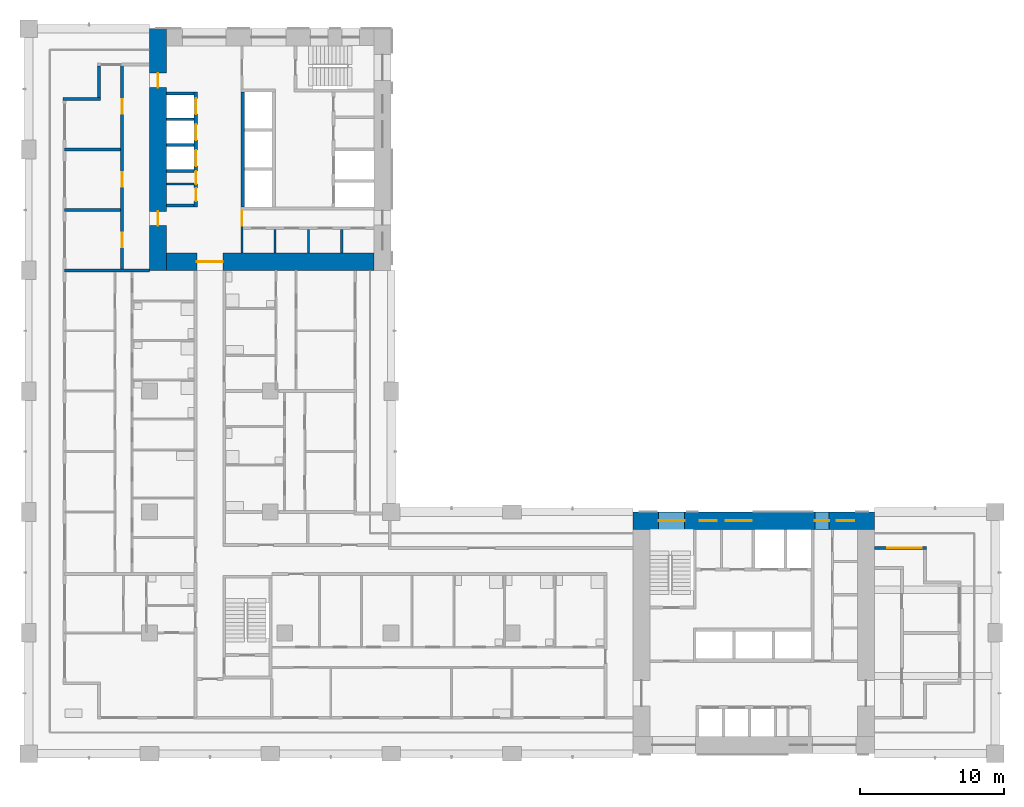
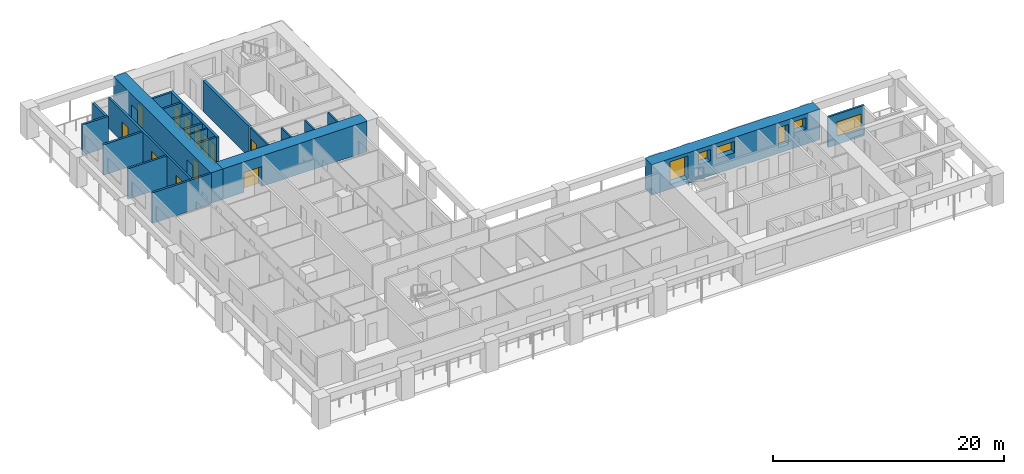
# One storey, part 7 of 17: 22 walls, 12 doors, 6 windows, 18 openings.
"""IFC4 building model written with IfcOpenShell, lengths in metres."""

from ifc_helpers import new_model, si_unit, direction, frame, frame_2d, origin, place, context, subcontext, project, spatial, rectangle, extrude, material, layer, layer_set, type_object, element, fill, save


model = new_model("IFC4")

# Units and contexts
model_context = context("Model", 3, precision=1e-05, world=origin(), true_north=direction((0.0, 1.0)))
body_context = subcontext(model_context, "Body", "Model", "MODEL_VIEW")
ifc_project = project(units=[si_unit("LENGTHUNIT", "METRE"), si_unit("AREAUNIT", "SQUARE_METRE"), si_unit("VOLUMEUNIT", "CUBIC_METRE"), si_unit("PLANEANGLEUNIT", "RADIAN"), si_unit("MASSUNIT", "GRAM", prefix="KILO")], contexts=[model_context])

# Site, building, storey
site_placement = place(None, origin())
site = spatial("IfcSite", under=ifc_project, at=site_placement, CompositionType="ELEMENT")
building_placement = place(site_placement, origin())
building = spatial("IfcBuilding", under=site, at=building_placement, Name="Vermilion Gate Residences", CompositionType="ELEMENT")
storey_placement = place(building_placement, frame((0.0, 0.0, 95.199951171875)))
storey = spatial("IfcBuildingStorey", under=building, at=storey_placement, Name="L23", CompositionType="ELEMENT", Elevation=95.199951171875)

# Wall
ifc_material_1 = material(Name="Masonry blockwork", Category="masonry")
ifc_layer_1 = layer(ifc_material_1, 0.14990234375)
ifc_layer_set_1 = layer_set([ifc_layer_1], Name="BLOCKWORK PARTITION 150 EI 120")
wall_type_1 = type_object("IfcWallType", Name="BLOCKWORK PARTITION 150 EI 120", PredefinedType="PARTITIONING", material=ifc_layer_set_1)
wall_1_placement = place(storey_placement, frame((9.60009765625, 48.007568359375, 0.0), z_axis=(0.0, 0.0, 1.0), x_axis=(1.0, 0.0, 0.0)))
element("IfcWall", 1, at=wall_1_placement, inside=storey, type_object=wall_type_1, Name="Core room partition B23-SR-P0", PredefinedType="PARTITIONING", context=body_context, shape_type="SweptSolid", body=[
    extrude(rectangle(XDim=1.89990234375, YDim=0.14990234375, at=frame_2d((0.949951171875, 0.0))), origin(), (0.0, 0.0, 1.0), 3.219970703125),
])

# Wall, opening, door
wall_2_placement = place(storey_placement, frame((14.824951171875, 46.199951171875, 0.0), z_axis=(0.0, 0.0, 1.0), x_axis=(0.0, -1.0, 0.0)))
wall_2 = element("IfcWall", 2, at=wall_2_placement, inside=storey, type_object=wall_type_1, Name="Core room partition B23-ES-S", PredefinedType="PARTITIONING", context=body_context, shape_type="SweptSolid", body=[
    extrude(rectangle(XDim=3.0, YDim=0.14990234375, at=frame_2d((1.5, 0.0))), origin(), (0.0, 0.0, 1.0), 3.219970703125),
])
opening_1_placement = place(wall_2_placement, frame((0.10009765625, 0.0, 0.0)))
opening_1 = element("IfcOpeningElement", 3, at=opening_1_placement, cuts=wall_2, Name="Opening DK23115", PredefinedType="OPENING", context=body_context, shape_type="SweptSolid", body=[
    extrude(rectangle(XDim=1.0, YDim=2.10009765625, at=frame_2d((0.5, 1.050048828125))), frame((0.0, 0.0849609375, 0.0), z_axis=(0.0, -1.0, 0.0), x_axis=(1.0, 0.0, 0.0)), (0.0, 0.0, 1.0), 0.169921875),
])
ifc_material_2 = material(Name="Steel", Category="steel")
door_type_1 = type_object("IfcDoorType", Name="FIRE DOOR FD60 1000 X 2100", OperationType="SINGLE_SWING_LEFT", PredefinedType="DOOR", material=ifc_material_2)
door_1_placement = place(opening_1_placement, frame((1.0, 0.0, 0.0), z_axis=(0.0, 0.0, 1.0), x_axis=(-1.0, 0.0, 0.0)))
door_1 = element("IfcDoor", 4, at=door_1_placement, inside=storey, type_object=door_type_1, Name="Service corridor door B23", OperationType="SINGLE_SWING_LEFT", OverallHeight=2.10009765625, OverallWidth=1.0, PredefinedType="DOOR", context=body_context, shape_type="SweptSolid", body=[
    extrude(rectangle(XDim=1.0, YDim=2.10009765625, at=frame_2d((0.5, 1.050048828125))), frame((0.0, 0.02490234375, 0.0), z_axis=(0.0, -1.0, 0.0), x_axis=(1.0, 0.0, 0.0)), (0.0, 0.0, 1.0), 0.050048828125),
])
fill(opening_1, door_1)

# Walls
for number, where, z_axis, x_axis, name in (
    (5, (17.137451171875, 44.85009765625, 0.0), (0.0, 0.0, 1.0), (0.0, -1.0, 0.0), "Core room partition B23-ES-P0"),
    (6, (19.449951171875, 44.85009765625, 0.0), (0.0, 0.0, 1.0), (0.0, -1.0, 0.0), "Core room partition B23-ES-P1"),
    (7, (21.762451171875, 44.85009765625, 0.0), (0.0, 0.0, 1.0), (0.0, -1.0, 0.0), "Core room partition B23-ES-P2"),
):
    element("IfcWall", number, at=place(storey_placement, frame(where, z_axis=z_axis, x_axis=x_axis)), inside=storey, type_object=wall_type_1, Name=name, PredefinedType="PARTITIONING", context=body_context, shape_type="SweptSolid", body=[
        extrude(rectangle(XDim=1.650146484375, YDim=0.14990234375, at=frame_2d((0.8251953125, 0.0))), origin(), (0.0, 0.0, 1.0), 3.219970703125),
    ])
ifc_material_3 = material(Name="Insulated steel stud wall with terracotta rainscreen", Category="masonry")
ifc_layer_2 = layer(ifc_material_3, 0.199951171875)
ifc_layer_set_2 = layer_set([ifc_layer_2], Name="EXTERNAL WALL 200 TERRACOTTA RAINSCREEN")
wall_type_2 = type_object("IfcWallType", Name="EXTERNAL WALL 200 TERRACOTTA RAINSCREEN", PredefinedType="SOLIDWALL", material=ifc_layer_set_2)
wall_3_placement = place(storey_placement, frame((4.89990234375, 56.199951171875, 0.0), z_axis=(0.0, 0.0, 1.0), x_axis=(0.0, -1.0, 0.0)))
element("IfcWall", 8, at=wall_3_placement, inside=storey, type_object=wall_type_2, Name="External wall", PredefinedType="SOLIDWALL", context=body_context, shape_type="SweptSolid", body=[
    extrude(rectangle(XDim=2.199951171875, YDim=0.199951171875, at=frame_2d((1.10009765625, 0.0))), origin(), (0.0, 0.0, 1.0), 3.219970703125),
])
wall_4_placement = place(storey_placement, frame((5.0, 53.89990234375, 0.0), z_axis=(0.0, 0.0, 1.0), x_axis=(-1.0, 0.0, 0.0)))
element("IfcWall", 9, at=wall_4_placement, inside=storey, type_object=wall_type_2, Name="External wall", PredefinedType="SOLIDWALL", context=body_context, shape_type="SweptSolid", body=[
    extrude(rectangle(XDim=2.60009765625, YDim=0.199951171875, at=frame_2d((1.300048828125, 0.0))), origin(), (0.0, 0.0, 1.0), 3.219970703125),
])

# Wall, opening, window
wall_5_placement = place(storey_placement, frame((62.39990234375, 22.699951171875, 0.0), z_axis=(0.0, 0.0, 1.0), x_axis=(-1.0, 0.0, 0.0)))
wall_5 = element("IfcWall", 10, at=wall_5_placement, inside=storey, type_object=wall_type_2, Name="External wall", PredefinedType="SOLIDWALL", context=body_context, shape_type="SweptSolid", body=[
    extrude(rectangle(XDim=3.599853515625, YDim=0.199951171875, at=frame_2d((1.7998046875, 0.0))), origin(), (0.0, 0.0, 1.0), 3.219970703125),
])
opening_2_placement = place(wall_5_placement, frame((0.300048828125, 0.0, 0.89990234375)))
opening_2 = element("IfcOpeningElement", 11, at=opening_2_placement, cuts=wall_5, Name="Opening WE23023", PredefinedType="OPENING", context=body_context, shape_type="SweptSolid", body=[
    extrude(rectangle(XDim=2.39990234375, YDim=1.5, at=frame_2d((1.199951171875, 0.75))), frame((0.0, 0.10986328125, 0.0), z_axis=(0.0, -1.0, 0.0), x_axis=(1.0, 0.0, 0.0)), (0.0, 0.0, 1.0), 0.219970703125),
])
ifc_material_4 = material(Name="Aluminium and clear glass", Category="aluminium")
window_type_1 = type_object("IfcWindowType", Name="WINDOW 2400 X 1500", PartitioningType="SINGLE_PANEL", PredefinedType="WINDOW", material=ifc_material_4)
window_1_placement = place(opening_2_placement, origin())
window_1 = element("IfcWindow", 12, at=window_1_placement, inside=storey, type_object=window_type_1, Name="Window", OverallHeight=1.5, OverallWidth=2.39990234375, PartitioningType="SINGLE_PANEL", PredefinedType="WINDOW", context=body_context, shape_type="SweptSolid", body=[
    extrude(rectangle(XDim=2.39990234375, YDim=1.5, at=frame_2d((1.199951171875, 0.75))), frame((0.0, 0.030029296875, 0.0), z_axis=(0.0, -1.0, 0.0), x_axis=(1.0, 0.0, 0.0)), (0.0, 0.0, 1.0), 0.06005859375),
])
fill(opening_2, window_1)

# Walls
ifc_material_5 = material(Name="Fire-rated plasterboard on steel studs", Category="steel")
ifc_layer_3 = layer(ifc_material_5, 0.199951171875)
ifc_layer_set_3 = layer_set([ifc_layer_3], Name="PARTY WALL 200 EI 120")
wall_type_3 = type_object("IfcWallType", Name="PARTY WALL 200 EI 120", PredefinedType="PARTITIONING", material=ifc_layer_set_3)
wall_6_placement = place(storey_placement, frame((2.5, 42.0, 0.0), z_axis=(0.0, 0.0, 1.0), x_axis=(1.0, 0.0, 0.0)))
element("IfcWall", 13, at=wall_6_placement, inside=storey, type_object=wall_type_3, Name="Party and corridor wall", PredefinedType="PARTITIONING", context=body_context, shape_type="SweptSolid", body=[
    extrude(rectangle(XDim=5.89990234375, YDim=0.199951171875, at=frame_2d((2.949951171875, 0.0))), origin(), (0.0, 0.0, 1.0), 3.219970703125),
])
for number, where, z_axis, x_axis, name in (
    (14, (2.5, 46.199951171875, 0.0), (0.0, 0.0, 1.0), (1.0, 0.0, 0.0), "Party and corridor wall"),
    (15, (2.5, 50.39990234375, 0.0), (0.0, 0.0, 1.0), (1.0, 0.0, 0.0), "Party and corridor wall"),
):
    element("IfcWall", number, at=place(storey_placement, frame(where, z_axis=z_axis, x_axis=x_axis)), inside=storey, type_object=wall_type_3, Name=name, PredefinedType="PARTITIONING", context=body_context, shape_type="SweptSolid", body=[
        extrude(rectangle(XDim=3.89990234375, YDim=0.199951171875, at=frame_2d((1.949951171875, 0.0))), origin(), (0.0, 0.0, 1.0), 3.219970703125),
    ])

# Wall, openings, doors
wall_7_placement = place(storey_placement, frame((6.5, 42.10009765625, 0.0), z_axis=(0.0, 0.0, 1.0), x_axis=(0.0, 1.0, 0.0)))
wall_7 = element("IfcWall", 16, at=wall_7_placement, inside=storey, type_object=wall_type_3, Name="Party and corridor wall", PredefinedType="PARTITIONING", context=body_context, shape_type="SweptSolid", body=[
    extrude(rectangle(XDim=14.199951171875, YDim=0.199951171875, at=frame_2d((7.10009765625, 0.0))), origin(), (0.0, 0.0, 1.0), 3.219970703125),
])
opening_3_placement = place(wall_7_placement, frame((1.5, 0.0, 0.0)))
opening_3 = element("IfcOpeningElement", 17, at=opening_3_placement, cuts=wall_7, Name="Opening DA22022", PredefinedType="OPENING", context=body_context, shape_type="SweptSolid", body=[
    extrude(rectangle(XDim=1.0, YDim=2.10009765625, at=frame_2d((0.5, 1.050048828125))), frame((0.0, 0.10986328125, 0.0), z_axis=(0.0, -1.0, 0.0), x_axis=(1.0, 0.0, 0.0)), (0.0, 0.0, 1.0), 0.219970703125),
])
opening_4_placement = place(wall_7_placement, frame((5.699951171875, 0.0, 0.0)))
opening_4 = element("IfcOpeningElement", 18, at=opening_4_placement, cuts=wall_7, Name="Opening DA22023", PredefinedType="OPENING", context=body_context, shape_type="SweptSolid", body=[
    extrude(rectangle(XDim=1.0, YDim=2.10009765625, at=frame_2d((0.5, 1.050048828125))), frame((0.0, 0.10986328125, 0.0), z_axis=(0.0, -1.0, 0.0), x_axis=(1.0, 0.0, 0.0)), (0.0, 0.0, 1.0), 0.219970703125),
])
opening_5_placement = place(wall_7_placement, frame((10.800048828125, 0.0, 0.0)))
opening_5 = element("IfcOpeningElement", 19, at=opening_5_placement, cuts=wall_7, Name="Opening DA22024", PredefinedType="OPENING", context=body_context, shape_type="SweptSolid", body=[
    extrude(rectangle(XDim=1.0, YDim=2.10009765625, at=frame_2d((0.5, 1.050048828125))), frame((0.0, 0.10986328125, 0.0), z_axis=(0.0, -1.0, 0.0), x_axis=(1.0, 0.0, 0.0)), (0.0, 0.0, 1.0), 0.219970703125),
])
ifc_material_6 = material(Name="Steel", Category="steel")
door_type_2 = type_object("IfcDoorType", Name="ENTRANCE DOOR 1000 X 2100 FD30", OperationType="SINGLE_SWING_LEFT", PredefinedType="DOOR", material=ifc_material_6)
door_2_placement = place(opening_3_placement, origin())
door_2 = element("IfcDoor", 20, at=door_2_placement, inside=storey, type_object=door_type_2, Name="Entrance door", OperationType="SINGLE_SWING_LEFT", OverallHeight=2.10009765625, OverallWidth=1.0, PredefinedType="DOOR", context=body_context, shape_type="SweptSolid", body=[
    extrude(rectangle(XDim=1.0, YDim=2.10009765625, at=frame_2d((0.5, 1.050048828125))), frame((0.0, 0.02490234375, 0.0), z_axis=(0.0, -1.0, 0.0), x_axis=(1.0, 0.0, 0.0)), (0.0, 0.0, 1.0), 0.050048828125),
])
fill(opening_3, door_2)
door_3_placement = place(opening_4_placement, origin())
door_3 = element("IfcDoor", 21, at=door_3_placement, inside=storey, type_object=door_type_2, Name="Entrance door", OperationType="SINGLE_SWING_RIGHT", OverallHeight=2.10009765625, OverallWidth=1.0, PredefinedType="DOOR", context=body_context, shape_type="SweptSolid", body=[
    extrude(rectangle(XDim=1.0, YDim=2.10009765625, at=frame_2d((0.5, 1.050048828125))), frame((0.0, 0.02490234375, 0.0), z_axis=(0.0, -1.0, 0.0), x_axis=(1.0, 0.0, 0.0)), (0.0, 0.0, 1.0), 0.050048828125),
])
fill(opening_4, door_3)
door_4_placement = place(opening_5_placement, origin())
door_4 = element("IfcDoor", 22, at=door_4_placement, inside=storey, type_object=door_type_2, Name="Entrance door", OperationType="SINGLE_SWING_RIGHT", OverallHeight=2.10009765625, OverallWidth=1.0, PredefinedType="DOOR", context=body_context, shape_type="SweptSolid", body=[
    extrude(rectangle(XDim=1.0, YDim=2.10009765625, at=frame_2d((0.5, 1.050048828125))), frame((0.0, 0.02490234375, 0.0), z_axis=(0.0, -1.0, 0.0), x_axis=(1.0, 0.0, 0.0)), (0.0, 0.0, 1.0), 0.050048828125),
])
fill(opening_5, door_4)

# Walls
ifc_material_7 = material(Name="Concrete C60", Category="concrete")
ifc_layer_4 = layer(ifc_material_7, 0.199951171875)
ifc_layer_set_4 = layer_set([ifc_layer_4], Name="RC CORE INTERNAL WALL 200 C60")
wall_type_4 = type_object("IfcWallType", Name="RC CORE INTERNAL WALL 200 C60", PredefinedType="SHEAR", material=ifc_layer_set_4)
for number, where, z_axis, x_axis, name in (
    (23, (9.60009765625, 54.300048828125, 0.0), (0.0, 0.0, 1.0), (1.0, 0.0, 0.0), "Core internal wall B23-LR-D0"),
    (24, (9.60009765625, 52.5, 0.0), (0.0, 0.0, 1.0), (1.0, 0.0, 0.0), "Core internal wall B23-LR-D1"),
    (25, (9.60009765625, 50.699951171875, 0.0), (0.0, 0.0, 1.0), (1.0, 0.0, 0.0), "Core internal wall B23-LR-D2"),
    (26, (9.60009765625, 48.89990234375, 0.0), (0.0, 0.0, 1.0), (1.0, 0.0, 0.0), "Core internal wall B23-LR-D3"),
    (27, (9.60009765625, 46.5, 0.0), (0.0, 0.0, 1.0), (1.0, 0.0, 0.0), "Core internal wall B23-LR-DE"),
):
    element("IfcWall", number, at=place(storey_placement, frame(where, z_axis=z_axis, x_axis=x_axis)), inside=storey, type_object=wall_type_4, Name=name, PredefinedType="SHEAR", context=body_context, shape_type="SweptSolid", body=[
        extrude(rectangle(XDim=1.89990234375, YDim=0.199951171875, at=frame_2d((0.949951171875, 0.0))), origin(), (0.0, 0.0, 1.0), 3.219970703125),
    ])

# Wall, openings, doors
ifc_material_8 = material(Name="Concrete C70", Category="concrete")
ifc_layer_5 = layer(ifc_material_8, 1.199951171875)
ifc_layer_set_5 = layer_set([ifc_layer_5], Name="RC CORE WALL 1200 C70")
wall_type_5 = type_object("IfcWallType", Name="RC CORE WALL 1200 C70", PredefinedType="SHEAR", material=ifc_layer_set_5)
wall_8_placement = place(storey_placement, frame((9.0, 58.800048828125, 0.0), z_axis=(0.0, 0.0, 1.0), x_axis=(0.0, -1.0, 0.0)))
wall_8 = element("IfcWall", 28, at=wall_8_placement, inside=storey, type_object=wall_type_5, Name="Core wall B23-OUT-B0", PredefinedType="SHEAR", context=body_context, shape_type="SweptSolid", body=[
    extrude(rectangle(XDim=16.800048828125, YDim=1.199951171875, at=frame_2d((8.39990234375, 0.0))), origin(), (0.0, 0.0, 1.0), 3.219970703125),
])
opening_6_placement = place(wall_8_placement, frame((3.10009765625, 0.0, 0.0)))
opening_6 = element("IfcOpeningElement", 29, at=opening_6_placement, cuts=wall_8, Name="Opening DK23101", PredefinedType="OPENING", context=body_context, shape_type="SweptSolid", body=[
    extrude(rectangle(XDim=1.0, YDim=2.10009765625, at=frame_2d((0.5, 1.050048828125))), frame((0.0, 0.60986328125, 0.0), z_axis=(0.0, -1.0, 0.0), x_axis=(1.0, 0.0, 0.0)), (0.0, 0.0, 1.0), 1.219970703125),
])
opening_7_placement = place(wall_8_placement, frame((12.699951171875, 0.0, 0.0)))
opening_7 = element("IfcOpeningElement", 30, at=opening_7_placement, cuts=wall_8, Name="Opening DK23102", PredefinedType="OPENING", context=body_context, shape_type="SweptSolid", body=[
    extrude(rectangle(XDim=1.0, YDim=2.10009765625, at=frame_2d((0.5, 1.050048828125))), frame((0.0, 0.60986328125, 0.0), z_axis=(0.0, -1.0, 0.0), x_axis=(1.0, 0.0, 0.0)), (0.0, 0.0, 1.0), 1.219970703125),
])
door_5_placement = place(opening_6_placement, origin())
door_5 = element("IfcDoor", 31, at=door_5_placement, inside=storey, type_object=door_type_1, Name="Core lobby side door B23", OperationType="SINGLE_SWING_RIGHT", OverallHeight=2.10009765625, OverallWidth=1.0, PredefinedType="DOOR", context=body_context, shape_type="SweptSolid", body=[
    extrude(rectangle(XDim=1.0, YDim=2.10009765625, at=frame_2d((0.5, 1.050048828125))), frame((0.0, 0.02490234375, 0.0), z_axis=(0.0, -1.0, 0.0), x_axis=(1.0, 0.0, 0.0)), (0.0, 0.0, 1.0), 0.050048828125),
])
fill(opening_6, door_5)
door_6_placement = place(opening_7_placement, origin())
door_6 = element("IfcDoor", 32, at=door_6_placement, inside=storey, type_object=door_type_1, Name="Core lobby side door B23", OperationType="SINGLE_SWING_LEFT", OverallHeight=2.10009765625, OverallWidth=1.0, PredefinedType="DOOR", context=body_context, shape_type="SweptSolid", body=[
    extrude(rectangle(XDim=1.0, YDim=2.10009765625, at=frame_2d((0.5, 1.050048828125))), frame((0.0, 0.02490234375, 0.0), z_axis=(0.0, -1.0, 0.0), x_axis=(1.0, 0.0, 0.0)), (0.0, 0.0, 1.0), 0.050048828125),
])
fill(opening_7, door_6)

# Wall, opening, door
wall_9_placement = place(storey_placement, frame((9.60009765625, 42.60009765625, 0.0), z_axis=(0.0, 0.0, 1.0), x_axis=(1.0, 0.0, 0.0)))
wall_9 = element("IfcWall", 33, at=wall_9_placement, inside=storey, type_object=wall_type_5, Name="Core wall B23-OUT-BK", PredefinedType="SHEAR", context=body_context, shape_type="SweptSolid", body=[
    extrude(rectangle(XDim=14.39990234375, YDim=1.199951171875, at=frame_2d((7.199951171875, 0.0))), origin(), (0.0, 0.0, 1.0), 3.219970703125),
])
opening_8_placement = place(wall_9_placement, frame((2.10009765625, 0.0, 0.0)))
opening_8 = element("IfcOpeningElement", 34, at=opening_8_placement, cuts=wall_9, Name="Opening DK23103", PredefinedType="OPENING", context=body_context, shape_type="SweptSolid", body=[
    extrude(rectangle(XDim=1.800048828125, YDim=2.10009765625, at=frame_2d((0.89990234375, 1.050048828125))), frame((0.0, 0.60986328125, 0.0), z_axis=(0.0, -1.0, 0.0), x_axis=(1.0, 0.0, 0.0)), (0.0, 0.0, 1.0), 1.219970703125),
])
ifc_material_9 = material(Name="Steel", Category="steel")
door_type_3 = type_object("IfcDoorType", Name="CORE LOBBY DOOR FD60 1800 X 2100", OperationType="DOUBLE_DOOR_SINGLE_SWING", PredefinedType="DOOR", material=ifc_material_9)
door_7_placement = place(opening_8_placement, origin())
door_7 = element("IfcDoor", 35, at=door_7_placement, inside=storey, type_object=door_type_3, Name="Core lobby door B23", OperationType="DOUBLE_DOOR_SINGLE_SWING", OverallHeight=2.10009765625, OverallWidth=1.800048828125, PredefinedType="DOOR", context=body_context, shape_type="SweptSolid", body=[
    extrude(rectangle(XDim=1.800048828125, YDim=2.10009765625, at=frame_2d((0.89990234375, 1.050048828125))), frame((0.0, 0.02490234375, 0.0), z_axis=(0.0, -1.0, 0.0), x_axis=(1.0, 0.0, 0.0)), (0.0, 0.0, 1.0), 0.050048828125),
])
fill(opening_8, door_7)

# Wall, openings, windows
ifc_material_10 = material(Name="Concrete C70 red-oxide pigmented", Category="concrete")
ifc_layer_6 = layer(ifc_material_10, 1.199951171875)
ifc_layer_set_6 = layer_set([ifc_layer_6], Name="RC CORE WALL 1200 C70 RED OXIDE")
wall_type_6 = type_object("IfcWallType", Name="RC CORE WALL 1200 C70 RED OXIDE", PredefinedType="SHEAR", material=ifc_layer_set_6)
wall_10_placement = place(storey_placement, frame((42.0, 24.60009765625, 0.0), z_axis=(0.0, 0.0, 1.0), x_axis=(1.0, 0.0, 0.0)))
wall_10 = element("IfcWall", 36, at=wall_10_placement, inside=storey, type_object=wall_type_6, Name="Core wall A23-OUT-B1", PredefinedType="SHEAR", context=body_context, shape_type="SweptSolid", body=[
    extrude(rectangle(XDim=16.800048828125, YDim=1.199951171875, at=frame_2d((8.39990234375, 0.0))), origin(), (0.0, 0.0, 1.0), 3.219970703125),
])
opening_9_placement = place(wall_10_placement, frame((1.800048828125, 0.0, 0.5)))
opening_9 = element("IfcOpeningElement", 37, at=opening_9_placement, cuts=wall_10, Name="Opening WKA2304", PredefinedType="OPENING", context=body_context, shape_type="SweptSolid", body=[
    extrude(rectangle(XDim=1.800048828125, YDim=2.39990234375, at=frame_2d((0.89990234375, 1.199951171875))), frame((0.0, 0.60986328125, 0.0), z_axis=(0.0, -1.0, 0.0), x_axis=(1.0, 0.0, 0.0)), (0.0, 0.0, 1.0), 1.219970703125),
])
opening_10_placement = place(wall_10_placement, frame((4.643798828125, 0.0, 1.60009765625)))
opening_10 = element("IfcOpeningElement", 38, at=opening_10_placement, cuts=wall_10, Name="Opening WKA2305", PredefinedType="OPENING", context=body_context, shape_type="SweptSolid", body=[
    extrude(rectangle(XDim=1.199951171875, YDim=1.199951171875, at=frame_2d((0.60009765625, 0.60009765625))), frame((0.0, 0.60986328125, 0.0), z_axis=(0.0, -1.0, 0.0), x_axis=(1.0, 0.0, 0.0)), (0.0, 0.0, 1.0), 1.219970703125),
])
opening_11_placement = place(wall_10_placement, frame((6.449951171875, 0.0, 1.60009765625)))
opening_11 = element("IfcOpeningElement", 39, at=opening_11_placement, cuts=wall_10, Name="Opening WKA2306", PredefinedType="OPENING", context=body_context, shape_type="SweptSolid", body=[
    extrude(rectangle(XDim=1.800048828125, YDim=1.199951171875, at=frame_2d((0.89990234375, 0.60009765625))), frame((0.0, 0.60986328125, 0.0), z_axis=(0.0, -1.0, 0.0), x_axis=(1.0, 0.0, 0.0)), (0.0, 0.0, 1.0), 1.219970703125),
])
opening_12_placement = place(wall_10_placement, frame((12.64990234375, 0.0, 0.60009765625)))
opening_12 = element("IfcOpeningElement", 40, at=opening_12_placement, cuts=wall_10, Name="Opening WKA2307", PredefinedType="OPENING", context=body_context, shape_type="SweptSolid", body=[
    extrude(rectangle(XDim=1.0, YDim=2.10009765625, at=frame_2d((0.5, 1.050048828125))), frame((0.0, 0.60986328125, 0.0), z_axis=(0.0, -1.0, 0.0), x_axis=(1.0, 0.0, 0.0)), (0.0, 0.0, 1.0), 1.219970703125),
])
opening_13_placement = place(wall_10_placement, frame((14.175048828125, 0.0, 1.60009765625)))
opening_13 = element("IfcOpeningElement", 41, at=opening_13_placement, cuts=wall_10, Name="Opening WKA2308", PredefinedType="OPENING", context=body_context, shape_type="SweptSolid", body=[
    extrude(rectangle(XDim=1.199951171875, YDim=1.199951171875, at=frame_2d((0.60009765625, 0.60009765625))), frame((0.0, 0.60986328125, 0.0), z_axis=(0.0, -1.0, 0.0), x_axis=(1.0, 0.0, 0.0)), (0.0, 0.0, 1.0), 1.219970703125),
])
ifc_material_11 = material(Name="Aluminium and clear glass", Category="aluminium")
window_type_2 = type_object("IfcWindowType", Name="CORE CORRIDOR WINDOW 1000 X 2100", PartitioningType="SINGLE_PANEL", PredefinedType="WINDOW", material=ifc_material_11)
window_2_placement = place(opening_12_placement, origin())
window_2 = element("IfcWindow", 42, at=window_2_placement, inside=storey, type_object=window_type_2, Name="Core corridor window", OverallHeight=2.10009765625, OverallWidth=1.0, PartitioningType="SINGLE_PANEL", PredefinedType="WINDOW", context=body_context, shape_type="SweptSolid", body=[
    extrude(rectangle(XDim=1.0, YDim=2.10009765625, at=frame_2d((0.5, 1.050048828125))), frame((0.0, 0.030029296875, 0.0), z_axis=(0.0, -1.0, 0.0), x_axis=(1.0, 0.0, 0.0)), (0.0, 0.0, 1.0), 0.06005859375),
])
fill(opening_12, window_2)
ifc_material_12 = material(Name="Aluminium frame with louvre blades", Category="aluminium")
window_type_3 = type_object("IfcWindowType", Name="CORE LOUVRE 1200 X 1200", PartitioningType="SINGLE_PANEL", PredefinedType="WINDOW", material=ifc_material_12)
window_3_placement = place(opening_10_placement, origin())
window_3 = element("IfcWindow", 43, at=window_3_placement, inside=storey, type_object=window_type_3, Name="Core louvre", OverallHeight=1.199951171875, OverallWidth=1.199951171875, PartitioningType="SINGLE_PANEL", PredefinedType="WINDOW", context=body_context, shape_type="SweptSolid", body=[
    extrude(rectangle(XDim=1.199951171875, YDim=1.199951171875, at=frame_2d((0.60009765625, 0.60009765625))), frame((0.0, 0.030029296875, 0.0), z_axis=(0.0, -1.0, 0.0), x_axis=(1.0, 0.0, 0.0)), (0.0, 0.0, 1.0), 0.06005859375),
])
fill(opening_10, window_3)
window_4_placement = place(opening_13_placement, origin())
window_4 = element("IfcWindow", 44, at=window_4_placement, inside=storey, type_object=window_type_3, Name="Core louvre", OverallHeight=1.199951171875, OverallWidth=1.199951171875, PartitioningType="SINGLE_PANEL", PredefinedType="WINDOW", context=body_context, shape_type="SweptSolid", body=[
    extrude(rectangle(XDim=1.199951171875, YDim=1.199951171875, at=frame_2d((0.60009765625, 0.60009765625))), frame((0.0, 0.030029296875, 0.0), z_axis=(0.0, -1.0, 0.0), x_axis=(1.0, 0.0, 0.0)), (0.0, 0.0, 1.0), 0.06005859375),
])
fill(opening_13, window_4)
ifc_material_13 = material(Name="Aluminium frame with louvre blades", Category="aluminium")
window_type_4 = type_object("IfcWindowType", Name="CORE LOUVRE 1800 X 1200", PartitioningType="SINGLE_PANEL", PredefinedType="WINDOW", material=ifc_material_13)
window_5_placement = place(opening_11_placement, origin())
window_5 = element("IfcWindow", 45, at=window_5_placement, inside=storey, type_object=window_type_4, Name="Core louvre", OverallHeight=1.199951171875, OverallWidth=1.800048828125, PartitioningType="SINGLE_PANEL", PredefinedType="WINDOW", context=body_context, shape_type="SweptSolid", body=[
    extrude(rectangle(XDim=1.800048828125, YDim=1.199951171875, at=frame_2d((0.89990234375, 0.60009765625))), frame((0.0, 0.030029296875, 0.0), z_axis=(0.0, -1.0, 0.0), x_axis=(1.0, 0.0, 0.0)), (0.0, 0.0, 1.0), 0.06005859375),
])
fill(opening_11, window_5)
ifc_material_14 = material(Name="Aluminium and clear glass", Category="aluminium")
window_type_5 = type_object("IfcWindowType", Name="CORE STAIR WINDOW 1800 X 2400", PartitioningType="SINGLE_PANEL", PredefinedType="WINDOW", material=ifc_material_14)
window_6_placement = place(opening_9_placement, origin())
window_6 = element("IfcWindow", 46, at=window_6_placement, inside=storey, type_object=window_type_5, Name="Core stair window", OverallHeight=2.39990234375, OverallWidth=1.800048828125, PartitioningType="SINGLE_PANEL", PredefinedType="WINDOW", context=body_context, shape_type="SweptSolid", body=[
    extrude(rectangle(XDim=1.800048828125, YDim=2.39990234375, at=frame_2d((0.89990234375, 1.199951171875))), frame((0.0, 0.030029296875, 0.0), z_axis=(0.0, -1.0, 0.0), x_axis=(1.0, 0.0, 0.0)), (0.0, 0.0, 1.0), 0.06005859375),
])
fill(opening_9, window_6)

# Wall, openings, doors
ifc_material_15 = material(Name="Concrete C60", Category="concrete")
ifc_layer_7 = layer(ifc_material_15, 0.25)
ifc_layer_set_7 = layer_set([ifc_layer_7], Name="RC LIFT SHAFT WALL 250 C60")
wall_type_7 = type_object("IfcWallType", Name="RC LIFT SHAFT WALL 250 C60", PredefinedType="SHEAR", material=ifc_layer_set_7)
wall_11_placement = place(storey_placement, frame((11.625, 54.39990234375, 0.0), z_axis=(0.0, 0.0, 1.0), x_axis=(0.0, -1.0, 0.0)))
wall_11 = element("IfcWall", 47, at=wall_11_placement, inside=storey, type_object=wall_type_7, Name="Lift shaft wall B23-LR-F", PredefinedType="SHEAR", context=body_context, shape_type="SweptSolid", body=[
    extrude(rectangle(XDim=8.0, YDim=0.25, at=frame_2d((4.0, 0.0))), origin(), (0.0, 0.0, 1.0), 3.219970703125),
])
opening_14_placement = place(wall_11_placement, frame((0.449951171875, 0.0, 0.0)))
opening_14 = element("IfcOpeningElement", 48, at=opening_14_placement, cuts=wall_11, Name="Opening LD", PredefinedType="OPENING", context=body_context, shape_type="SweptSolid", body=[
    extrude(rectangle(XDim=1.10009765625, YDim=2.10009765625, at=frame_2d((0.550048828125, 1.050048828125))), frame((0.0, 0.135009765625, 0.0), z_axis=(0.0, -1.0, 0.0), x_axis=(1.0, 0.0, 0.0)), (0.0, 0.0, 1.0), 0.27001953125),
])
opening_15_placement = place(wall_11_placement, frame((2.25, 0.0, 0.0)))
opening_15 = element("IfcOpeningElement", 49, at=opening_15_placement, cuts=wall_11, Name="Opening LD", PredefinedType="OPENING", context=body_context, shape_type="SweptSolid", body=[
    extrude(rectangle(XDim=1.10009765625, YDim=2.10009765625, at=frame_2d((0.550048828125, 1.050048828125))), frame((0.0, 0.135009765625, 0.0), z_axis=(0.0, -1.0, 0.0), x_axis=(1.0, 0.0, 0.0)), (0.0, 0.0, 1.0), 0.27001953125),
])
opening_16_placement = place(wall_11_placement, frame((4.050048828125, 0.0, 0.0)))
opening_16 = element("IfcOpeningElement", 50, at=opening_16_placement, cuts=wall_11, Name="Opening LD", PredefinedType="OPENING", context=body_context, shape_type="SweptSolid", body=[
    extrude(rectangle(XDim=1.10009765625, YDim=2.10009765625, at=frame_2d((0.550048828125, 1.050048828125))), frame((0.0, 0.135009765625, 0.0), z_axis=(0.0, -1.0, 0.0), x_axis=(1.0, 0.0, 0.0)), (0.0, 0.0, 1.0), 0.27001953125),
])
opening_17_placement = place(wall_11_placement, frame((5.5087890625, 0.0, 0.0)))
opening_17 = element("IfcOpeningElement", 51, at=opening_17_placement, cuts=wall_11, Name="Opening DK23107", PredefinedType="OPENING", context=body_context, shape_type="SweptSolid", body=[
    extrude(rectangle(XDim=0.89990234375, YDim=2.10009765625, at=frame_2d((0.449951171875, 1.050048828125))), frame((0.0, 0.135009765625, 0.0), z_axis=(0.0, -1.0, 0.0), x_axis=(1.0, 0.0, 0.0)), (0.0, 0.0, 1.0), 0.27001953125),
])
opening_18_placement = place(wall_11_placement, frame((6.683837890625, 0.0, 0.0)))
opening_18 = element("IfcOpeningElement", 52, at=opening_18_placement, cuts=wall_11, Name="Opening DK23108", PredefinedType="OPENING", context=body_context, shape_type="SweptSolid", body=[
    extrude(rectangle(XDim=0.89990234375, YDim=2.10009765625, at=frame_2d((0.449951171875, 1.050048828125))), frame((0.0, 0.135009765625, 0.0), z_axis=(0.0, -1.0, 0.0), x_axis=(1.0, 0.0, 0.0)), (0.0, 0.0, 1.0), 0.27001953125),
])
ifc_material_16 = material(Name="Stainless steel", Category="steel")
door_type_4 = type_object("IfcDoorType", Name="LIFT LANDING DOOR E60 1100 X 2100", OperationType="DOUBLE_DOOR_SLIDING", PredefinedType="DOOR", material=ifc_material_16)
door_8_placement = place(opening_14_placement, origin())
door_8 = element("IfcDoor", 53, at=door_8_placement, inside=storey, type_object=door_type_4, Name="Lift landing door LRB1", OperationType="DOUBLE_DOOR_SLIDING", OverallHeight=2.10009765625, OverallWidth=1.10009765625, PredefinedType="DOOR", context=body_context, shape_type="SweptSolid", body=[
    extrude(rectangle(XDim=1.10009765625, YDim=2.10009765625, at=frame_2d((0.550048828125, 1.050048828125))), frame((0.0, 0.02490234375, 0.0), z_axis=(0.0, -1.0, 0.0), x_axis=(1.0, 0.0, 0.0)), (0.0, 0.0, 1.0), 0.050048828125),
])
fill(opening_14, door_8)
door_9_placement = place(opening_15_placement, origin())
door_9 = element("IfcDoor", 54, at=door_9_placement, inside=storey, type_object=door_type_4, Name="Lift landing door LRB2", OperationType="DOUBLE_DOOR_SLIDING", OverallHeight=2.10009765625, OverallWidth=1.10009765625, PredefinedType="DOOR", context=body_context, shape_type="SweptSolid", body=[
    extrude(rectangle(XDim=1.10009765625, YDim=2.10009765625, at=frame_2d((0.550048828125, 1.050048828125))), frame((0.0, 0.02490234375, 0.0), z_axis=(0.0, -1.0, 0.0), x_axis=(1.0, 0.0, 0.0)), (0.0, 0.0, 1.0), 0.050048828125),
])
fill(opening_15, door_9)
door_10_placement = place(opening_16_placement, origin())
door_10 = element("IfcDoor", 55, at=door_10_placement, inside=storey, type_object=door_type_4, Name="Lift landing door LRB3", OperationType="DOUBLE_DOOR_SLIDING", OverallHeight=2.10009765625, OverallWidth=1.10009765625, PredefinedType="DOOR", context=body_context, shape_type="SweptSolid", body=[
    extrude(rectangle(XDim=1.10009765625, YDim=2.10009765625, at=frame_2d((0.550048828125, 1.050048828125))), frame((0.0, 0.02490234375, 0.0), z_axis=(0.0, -1.0, 0.0), x_axis=(1.0, 0.0, 0.0)), (0.0, 0.0, 1.0), 0.050048828125),
])
fill(opening_16, door_10)
ifc_material_17 = material(Name="Steel", Category="steel")
door_type_5 = type_object("IfcDoorType", Name="SERVICE ROOM DOOR FD60 900 X 2100", OperationType="SINGLE_SWING_LEFT", PredefinedType="DOOR", material=ifc_material_17)
door_11_placement = place(opening_17_placement, origin())
door_11 = element("IfcDoor", 56, at=door_11_placement, inside=storey, type_object=door_type_5, Name="Communications room B23", OperationType="SINGLE_SWING_LEFT", OverallHeight=2.10009765625, OverallWidth=0.89990234375, PredefinedType="DOOR", context=body_context, shape_type="SweptSolid", body=[
    extrude(rectangle(XDim=0.89990234375, YDim=2.10009765625, at=frame_2d((0.449951171875, 1.050048828125))), frame((0.0, 0.02490234375, 0.0), z_axis=(0.0, -1.0, 0.0), x_axis=(1.0, 0.0, 0.0)), (0.0, 0.0, 1.0), 0.050048828125),
])
fill(opening_17, door_11)
door_12_placement = place(opening_18_placement, frame((0.89990234375, 0.0, 0.0), z_axis=(0.0, 0.0, 1.0), x_axis=(-1.0, 0.0, 0.0)))
door_12 = element("IfcDoor", 57, at=door_12_placement, inside=storey, type_object=door_type_5, Name="Refuse room B23", OperationType="SINGLE_SWING_RIGHT", OverallHeight=2.10009765625, OverallWidth=0.89990234375, PredefinedType="DOOR", context=body_context, shape_type="SweptSolid", body=[
    extrude(rectangle(XDim=0.89990234375, YDim=2.10009765625, at=frame_2d((0.449951171875, 1.050048828125))), frame((0.0, 0.02490234375, 0.0), z_axis=(0.0, -1.0, 0.0), x_axis=(1.0, 0.0, 0.0)), (0.0, 0.0, 1.0), 0.050048828125),
])
fill(opening_18, door_12)

# Wall
wall_12_placement = place(storey_placement, frame((14.875, 54.39990234375, 0.0), z_axis=(0.0, 0.0, 1.0), x_axis=(0.0, -1.0, 0.0)))
element("IfcWall", 58, at=wall_12_placement, inside=storey, type_object=wall_type_7, Name="Lift shaft wall B23-HR-F", PredefinedType="SHEAR", context=body_context, shape_type="SweptSolid", body=[
    extrude(rectangle(XDim=8.0, YDim=0.25, at=frame_2d((4.0, 0.0))), origin(), (0.0, 0.0, 1.0), 3.219970703125),
])

save(model, "model.ifc")
